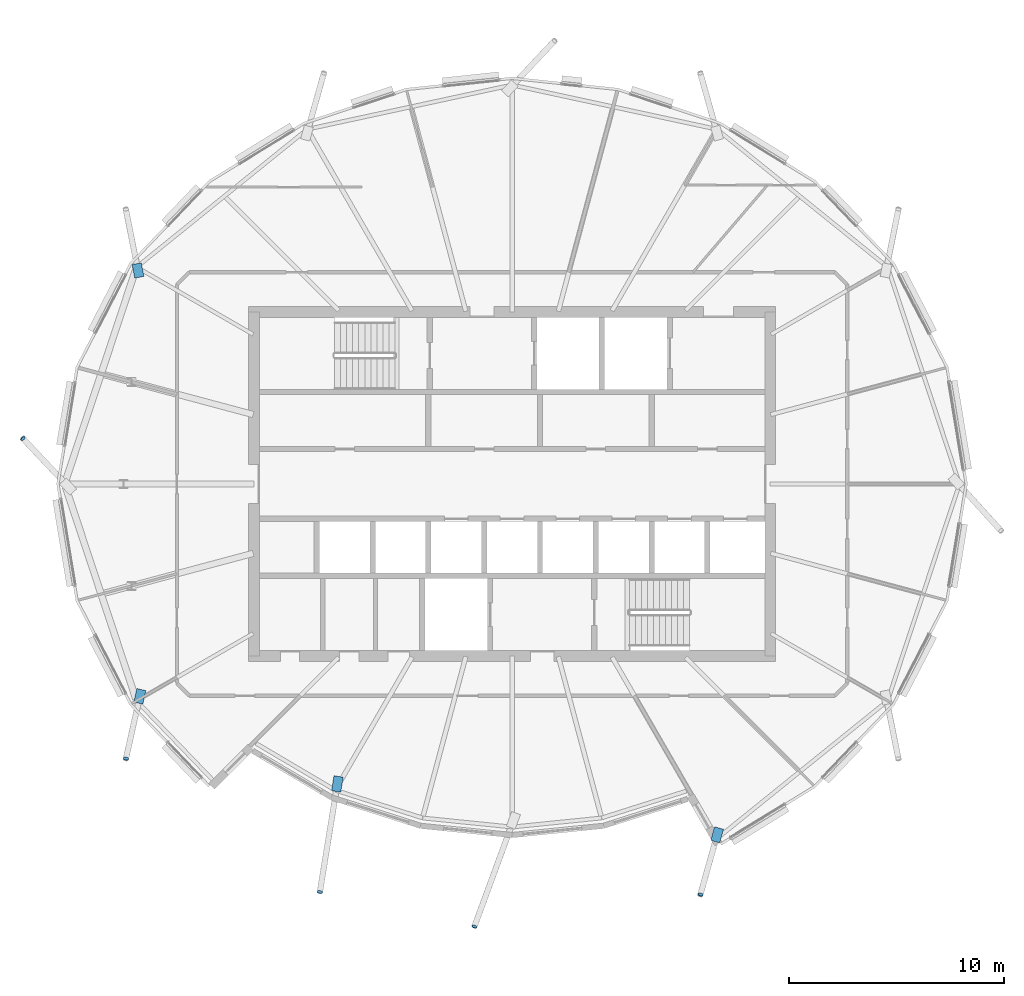
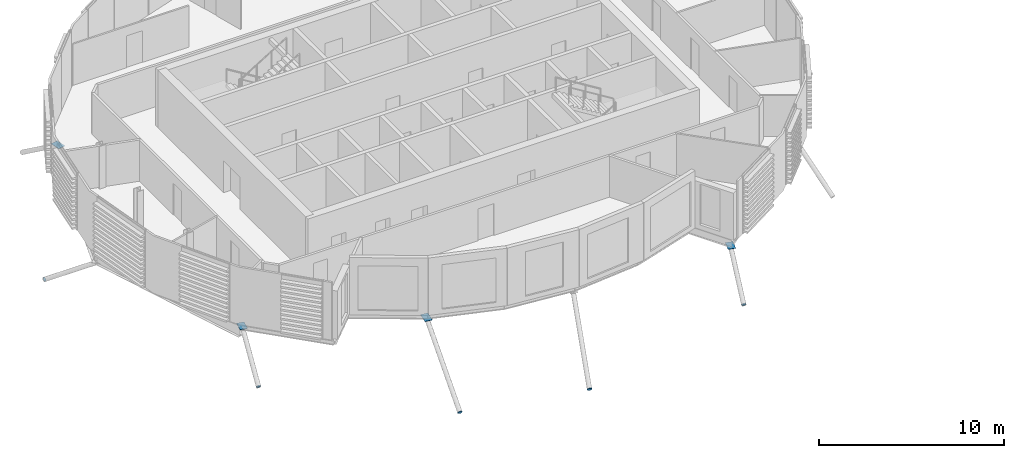
# One storey, part 27 of 41: 9 discrete accessories.
"""IFC4 building model written with IfcOpenShell, lengths in metres."""

from ifc_helpers import new_model, si_unit, direction, frame, origin, origin_2d, place, context, subcontext, project, spatial, polyline, rectangle, circle, outline, extrude, material, material_profile, profile_set, type_object, element, save


model = new_model("IFC4")

# Units and contexts
model_context = context("Model", 3, precision=1e-05, world=origin(), true_north=direction((0.0, 1.0)))
body_context = subcontext(model_context, "Body", "Model", "MODEL_VIEW")
ifc_project = project(units=[si_unit("LENGTHUNIT", "METRE"), si_unit("AREAUNIT", "SQUARE_METRE"), si_unit("VOLUMEUNIT", "CUBIC_METRE"), si_unit("PLANEANGLEUNIT", "RADIAN"), si_unit("MASSUNIT", "GRAM", prefix="KILO")], contexts=[model_context])

# Site, building, storey
site_placement = place(None, origin())
site = spatial("IfcSite", under=ifc_project, at=site_placement, CompositionType="ELEMENT")
building_placement = place(site_placement, origin())
building = spatial("IfcBuilding", under=site, at=building_placement, Name="Rimbun Link Towers", CompositionType="ELEMENT")
storey_placement = place(building_placement, frame((0.0, 0.0, 214.300048828125)))
storey = spatial("IfcBuildingStorey", under=building, at=storey_placement, Name="L52", CompositionType="ELEMENT", Elevation=214.300048828125)

# Discrete accessories
ifc_material_1 = material(Name="Steel S355J2H", Category="steel")
ifc_material_profile_1 = material_profile(ifc_material_1, circle(Radius=0.1240234375, at=origin_2d()), Name="PL D248")
ifc_profile_set_1 = profile_set([ifc_material_profile_1], Name="Steel S355J2H")
discrete_accessory_type_1 = type_object("IfcDiscreteAccessoryType", Name="Link foot sealing plate D248X20", PredefinedType="BRACKET", material=ifc_profile_set_1)
discrete_accessory_1_placement = place(storey_placement, frame((-54.488525390625, 2.107666015625, -2.788818359375), z_axis=(-0.591466802996, 0.628433478183, -0.505211227559), x_axis=(-0.728199992693, -0.685364699005, 0.0)))
element("IfcDiscreteAccessory", 1, at=discrete_accessory_1_placement, inside=storey, type_object=discrete_accessory_type_1, Name="Link foot sealing plate T1 L52 12", PredefinedType="BRACKET", context=body_context, shape_type="SweptSolid", body=[
    extrude(circle(Radius=0.1240234375, at=origin_2d()), origin(), (0.0, 0.0, 1.0), 0.019775390625),
])
discrete_accessory_2_placement = place(storey_placement, frame((-49.703125, -12.76220703125, -2.515869140625), z_axis=(-0.18329520737, -0.806498912426, -0.5621053026), x_axis=(0.975132855791, -0.221621103589, 0.0)))
element("IfcDiscreteAccessory", 2, at=discrete_accessory_2_placement, inside=storey, type_object=discrete_accessory_type_1, Name="Link foot sealing plate T1 L52 14", PredefinedType="BRACKET", context=body_context, shape_type="SweptSolid", body=[
    extrude(circle(Radius=0.1240234375, at=origin_2d()), origin(), (0.0, 0.0, 1.0), 0.02001953125),
])
for number, where, z_axis, x_axis, name in (
    (3, (-40.687255859375, -18.9716796875, -3.6171875), (-0.132974821239, -0.858292027995, -0.495633424617), (0.988210237284, -0.153102994509, 0.0), "Link foot sealing plate T1 L52 16"),
    (4, (-33.50146484375, -20.5751953125, -3.626220703125), (-0.302083097331, -0.82166602474, -0.48333295573), (0.938578553396, -0.345065644631, 0.0), "Link foot sealing plate T1 L52 18"),
):
    element("IfcDiscreteAccessory", number, at=place(storey_placement, frame(where, z_axis=z_axis, x_axis=x_axis)), inside=storey, type_object=discrete_accessory_type_1, Name=name, PredefinedType="BRACKET", context=body_context, shape_type="SweptSolid", body=[
        extrude(circle(Radius=0.1240234375, at=origin_2d()), origin(), (0.0, 0.0, 1.0), 0.020263671875),
    ])
discrete_accessory_3_placement = place(storey_placement, frame((-22.992919921875, -19.086181640625, -2.607421875), z_axis=(-0.231397800667, -0.803802886529, -0.548047422633), x_axis=(0.960972583442, -0.276643622506, 0.0)))
element("IfcDiscreteAccessory", 5, at=discrete_accessory_3_placement, inside=storey, type_object=discrete_accessory_type_1, Name="Link foot sealing plate T1 L52 20", PredefinedType="BRACKET", context=body_context, shape_type="SweptSolid", body=[
    extrude(circle(Radius=0.1240234375, at=origin_2d()), origin(), (0.0, 0.0, 1.0), 0.02001953125),
])
ifc_material_2 = material(Name="Steel S355J2H", Category="steel")
ifc_material_profile_2 = material_profile(ifc_material_2, rectangle(XDim=0.43310546875, YDim=0.43310546875, at=origin_2d()), Name="PL 433x433")
ifc_profile_set_2 = profile_set([ifc_material_profile_2], Name="Steel S355J2H")
discrete_accessory_type_2 = type_object("IfcDiscreteAccessoryType", Name="Link head end plate 433X20", PredefinedType="BRACKET", material=ifc_profile_set_2)
discrete_accessory_4_placement = place(storey_placement, frame((0.0, 0.0, -0.51513671875)))
element("IfcDiscreteAccessory", 6, at=discrete_accessory_4_placement, inside=storey, type_object=discrete_accessory_type_2, Name="Link head end plate T1 L52 10", PredefinedType="BRACKET", context=body_context, shape_type="SweptSolid", body=[
    extrude(outline(polyline([(-48.8671875, 9.65380859375), (-48.992919921875, 10.281982421875), (-49.41748046875, 10.197021484375), (-49.2919921875, 9.569091796875), (-48.8671875, 9.65380859375)])), origin(), (0.0, 0.0, 1.0), 0.02001953125),
])
discrete_accessory_5_placement = place(storey_placement, frame((0.0, 0.0, -0.51513671875)))
element("IfcDiscreteAccessory", 7, at=discrete_accessory_5_placement, inside=storey, type_object=discrete_accessory_type_2, Name="Link head end plate T1 L52 14", PredefinedType="BRACKET", context=body_context, shape_type="SweptSolid", body=[
    extrude(outline(polyline([(-49.19921875, -9.512939453125), (-49.34033203125, -10.14453125), (-48.917724609375, -10.239013671875), (-48.776611328125, -9.607421875), (-49.19921875, -9.512939453125)])), origin(), (0.0, 0.0, 1.0), 0.02001953125),
])
discrete_accessory_6_placement = place(storey_placement, frame((0.0, 0.0, -0.693115234375)))
element("IfcDiscreteAccessory", 8, at=discrete_accessory_6_placement, inside=storey, type_object=discrete_accessory_type_2, Name="Link head end plate T1 L52 16", PredefinedType="BRACKET", context=body_context, shape_type="SweptSolid", body=[
    extrude(outline(polyline([(-40.031005859375, -13.564453125), (-40.144287109375, -14.26318359375), (-39.716796875, -14.33251953125), (-39.603759765625, -13.6337890625), (-40.031005859375, -13.564453125)])), origin(), (0.0, 0.0, 1.0), 0.02001953125),
])
discrete_accessory_7_placement = place(storey_placement, frame((0.0, 0.0, -0.693115234375)))
element("IfcDiscreteAccessory", 9, at=discrete_accessory_7_placement, inside=storey, type_object=discrete_accessory_type_2, Name="Link head end plate T1 L52 20", PredefinedType="BRACKET", context=body_context, shape_type="SweptSolid", body=[
    extrude(outline(polyline([(-22.335205078125, -15.940673828125), (-22.51171875, -16.569580078125), (-22.0947265625, -16.6865234375), (-21.918212890625, -16.0576171875), (-22.335205078125, -15.940673828125)])), origin(), (0.0, 0.0, 1.0), 0.02001953125),
])

save(model, "model.ifc")
